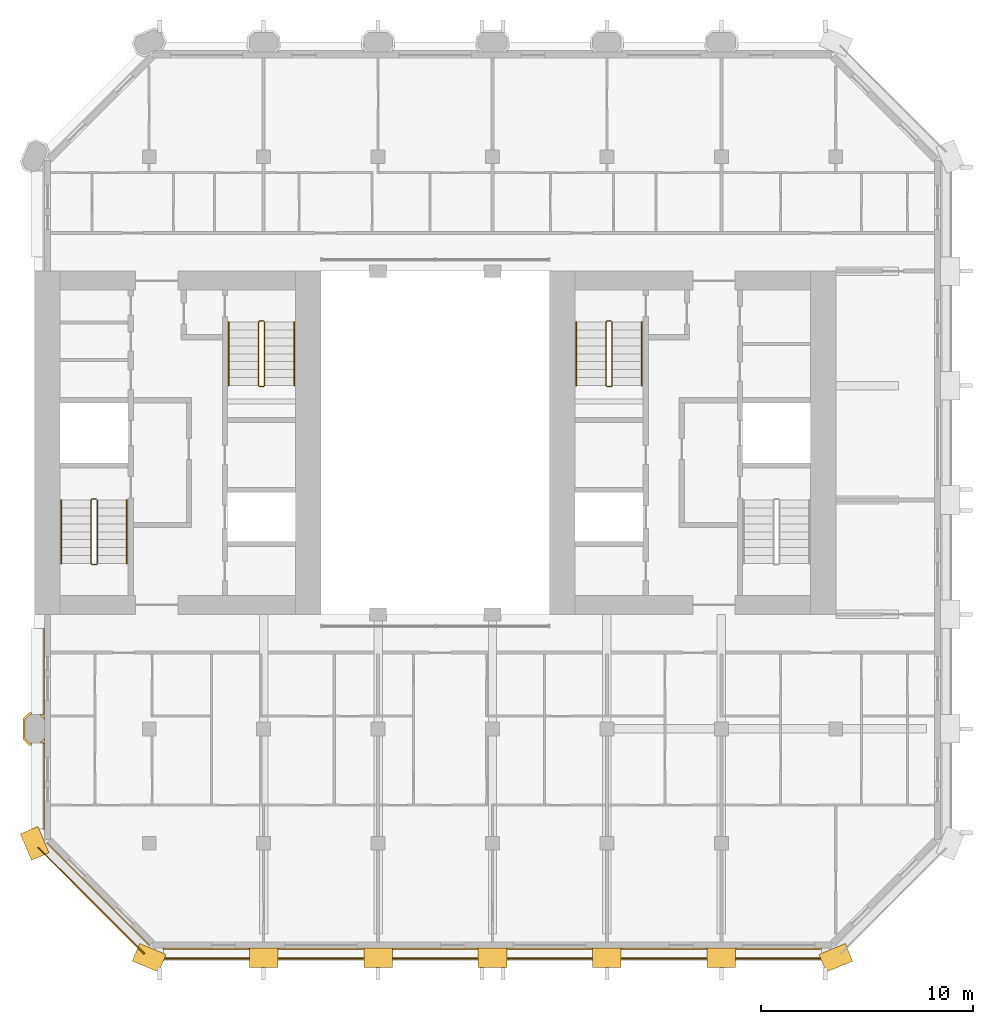
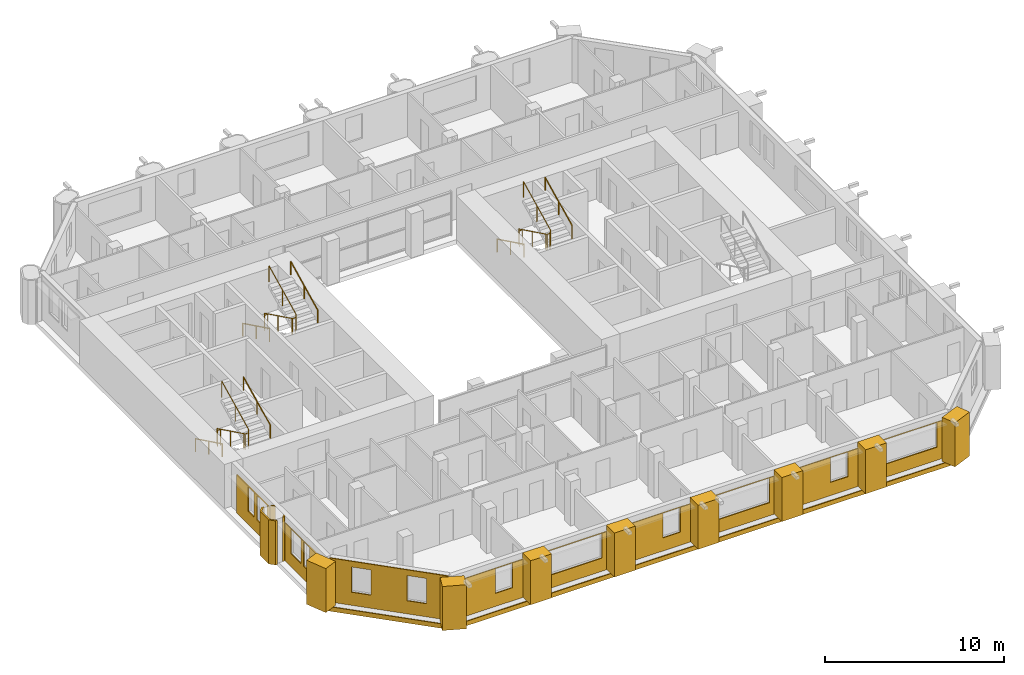
# One storey, part 13 of 14: 22 coverings, 9 railings.
"""IFC4 building model written with IfcOpenShell, lengths in metres."""

from ifc_helpers import new_model, si_unit, direction, frame, frame_2d, origin, origin_2d, place, context, subcontext, project, spatial, polyline, rectangle, circle, outline, extrude, material, layer, layer_set, type_object, element, save


model = new_model("IFC4")

# Units and contexts
model_context = context("Model", 3, precision=1e-05, world=origin(), true_north=direction((0.0, 1.0)))
body_context = subcontext(model_context, "Body", "Model", "MODEL_VIEW")
ifc_project = project(units=[si_unit("LENGTHUNIT", "METRE"), si_unit("AREAUNIT", "SQUARE_METRE"), si_unit("VOLUMEUNIT", "CUBIC_METRE"), si_unit("PLANEANGLEUNIT", "RADIAN"), si_unit("MASSUNIT", "GRAM", prefix="KILO")], contexts=[model_context])

# Site, building, storey
site_placement = place(None, origin())
site = spatial("IfcSite", under=ifc_project, at=site_placement, CompositionType="ELEMENT")
building_placement = place(site_placement, origin())
building = spatial("IfcBuilding", under=site, at=building_placement, Name="Tabaq Tower and Sports Hall", CompositionType="ELEMENT")
storey_placement = place(building_placement, frame((0.0, 0.0, 275.199951171875)))
storey = spatial("IfcBuildingStorey", under=building, at=storey_placement, Name="L67", CompositionType="ELEMENT", Elevation=275.199951171875)

# Coverings
ifc_material_1 = material(Name="Precast concrete C60/75", Category="concrete")
ifc_layer_1 = layer(ifc_material_1, 0.10009765625)
ifc_layer_set_1 = layer_set([ifc_layer_1], Name="Column cladding 100")
covering_type_1 = type_object("IfcCoveringType", Name="Column cladding 100", PredefinedType="CLADDING", material=ifc_layer_set_1)
covering_1_placement = place(storey_placement, origin())
element("IfcCovering", 1, at=covering_1_placement, inside=storey, type_object=covering_type_1, Name="Column cladding L67 PC-2C-R1", PredefinedType="CLADDING", context=body_context, shape_type="SweptSolid", body=[
    extrude(outline(polyline([(5.1337890625, 10.025390625), (4.850341796875, 10.30859375), (4.850341796875, 11.291259765625), (5.1337890625, 11.57470703125), (5.249755859375, 11.57470703125), (5.249755859375, 11.475341796875), (5.1748046875, 11.475341796875), (4.94970703125, 11.250244140625), (4.94970703125, 10.349853515625), (5.1748046875, 10.124755859375), (5.249755859375, 10.124755859375), (5.249755859375, 10.025390625), (5.1337890625, 10.025390625)])), origin(), (0.0, 0.0, 1.0), 3.0),
])
covering_2_placement = place(storey_placement, origin())
element("IfcCovering", 2, at=covering_2_placement, inside=storey, type_object=covering_type_1, Name="Column cladding L67 PC-2C-R1 2", PredefinedType="CLADDING", context=body_context, shape_type="SweptSolid", body=[
    extrude(outline(polyline([(5.766357421875, 10.125244140625), (5.625732421875, 10.125244140625), (5.849609375, 10.349365234375), (5.849609375, 10.208740234375), (5.766357421875, 10.125244140625)])), origin(), (0.0, 0.0, 1.0), 3.0),
])
covering_3_placement = place(storey_placement, origin())
element("IfcCovering", 3, at=covering_3_placement, inside=storey, type_object=covering_type_1, Name="Column cladding L67 PC-2C-R1 3", PredefinedType="CLADDING", context=body_context, shape_type="SweptSolid", body=[
    extrude(outline(polyline([(5.849609375, 11.391357421875), (5.849609375, 11.250732421875), (5.625732421875, 11.474609375), (5.766357421875, 11.474609375), (5.849609375, 11.391357421875)])), origin(), (0.0, 0.0, 1.0), 3.0),
])
ifc_material_2 = material(Name="Precast concrete C60/75", Category="concrete")
ifc_layer_2 = layer(ifc_material_2, 0.06005859375)
ifc_layer_set_2 = layer_set([ifc_layer_2], Name="Edge beam cladding 60")
covering_type_2 = type_object("IfcCoveringType", Name="Edge beam cladding 60", PredefinedType="CLADDING", material=ifc_layer_set_2)
covering_4_placement = place(storey_placement, frame((11.0986328125, -0.030029296875, -0.300048828125), z_axis=(0.0, 0.0, 1.0), x_axis=(1.0, 0.0, 0.0)))
element("IfcCovering", 4, at=covering_4_placement, inside=storey, type_object=covering_type_2, Name="Edge beam cladding L67 1", PredefinedType="CLADDING", context=body_context, shape_type="SweptSolid", body=[
    extrude(rectangle(XDim=31.802734375, YDim=0.06005859375, at=frame_2d((15.9013671875, 0.0))), origin(), (0.0, 0.0, 1.0), 0.300048828125),
])
covering_5_placement = place(storey_placement, frame((5.5556640625, 5.201904296875, -0.300048828125), z_axis=(0.0, 0.0, 1.0), x_axis=(0.707106781187, -0.707106781187, 0.0)))
element("IfcCovering", 5, at=covering_5_placement, inside=storey, type_object=covering_type_2, Name="Edge beam cladding L67 5", PredefinedType="CLADDING", context=body_context, shape_type="SweptSolid", body=[
    extrude(rectangle(XDim=7.087890625, YDim=0.06005859375, at=frame_2d((3.5439453125, 0.0))), origin(), (0.0, 0.0, 1.0), 0.300048828125),
])
ifc_material_3 = material(Name="White precast concrete C60/75", Category="concrete")
covering_type_3 = type_object("IfcCoveringType", Name="Pier cladding hung 1350x900", PredefinedType="CLADDING", material=ifc_material_3)
for number, where, z_axis, x_axis, name in (
    (6, (5.1416015625, 6.023681640625, 0.0), (0.0, 0.0, 1.0), (0.382649923473, -0.923893411637, 0.0), "Hung pier cladding 1/1"),
    (7, (10.17626953125, 0.25830078125, 0.0), (0.0, 0.0, 1.0), (0.923893411637, -0.382649923473, 0.0), "Hung pier cladding 2/0"),
    (8, (15.52490234375, 0.0, 0.0), (0.0, 0.0, 1.0), (1.0, 0.0, 0.0), "Hung pier cladding 3/0"),
):
    element("IfcCovering", number, at=place(storey_placement, frame(where, z_axis=z_axis, x_axis=x_axis)), inside=storey, type_object=covering_type_3, Name=name, PredefinedType="CLADDING", context=body_context, shape_type="SweptSolid", body=[
        extrude(rectangle(XDim=1.35009765625, YDim=0.89990234375, at=frame_2d((0.675048828125, 0.0))), origin(), (0.0, 0.0, 1.0), 3.0),
    ])
covering_6_placement = place(storey_placement, frame((20.925048828125, 0.0, 0.0), z_axis=(0.0, 0.0, 1.0), x_axis=(1.0, 0.0, 0.0)))
element("IfcCovering", 9, at=covering_6_placement, inside=storey, type_object=covering_type_3, Name="Hung pier cladding 4/0", PredefinedType="CLADDING", context=body_context, shape_type="SweptSolid", body=[
    extrude(rectangle(XDim=1.349853515625, YDim=0.89990234375, at=frame_2d((0.6748046875, 0.0))), origin(), (0.0, 0.0, 1.0), 3.0),
])
covering_7_placement = place(storey_placement, frame((26.324951171875, 0.0, 0.0), z_axis=(0.0, 0.0, 1.0), x_axis=(1.0, 0.0, 0.0)))
element("IfcCovering", 10, at=covering_7_placement, inside=storey, type_object=covering_type_3, Name="Hung pier cladding 5/0", PredefinedType="CLADDING", context=body_context, shape_type="SweptSolid", body=[
    extrude(rectangle(XDim=1.35009765625, YDim=0.89990234375, at=frame_2d((0.675048828125, 0.0))), origin(), (0.0, 0.0, 1.0), 3.0),
])
covering_8_placement = place(storey_placement, frame((31.72509765625, 0.0, 0.0), z_axis=(0.0, 0.0, 1.0), x_axis=(1.0, 0.0, 0.0)))
element("IfcCovering", 11, at=covering_8_placement, inside=storey, type_object=covering_type_3, Name="Hung pier cladding 6/0", PredefinedType="CLADDING", context=body_context, shape_type="SweptSolid", body=[
    extrude(rectangle(XDim=1.349853515625, YDim=0.89990234375, at=frame_2d((0.6748046875, 0.0))), origin(), (0.0, 0.0, 1.0), 3.0),
])
for number, where, z_axis, x_axis, name in (
    (12, (37.125, 0.0, 0.0), (0.0, 0.0, 1.0), (1.0, 0.0, 0.0), "Hung pier cladding 7/0"),
    (13, (42.576416015625, -0.25830078125, 0.0), (0.0, 0.0, 1.0), (0.923893411637, 0.382649923473, 0.0), "Hung pier cladding 8/0"),
):
    element("IfcCovering", number, at=place(storey_placement, frame(where, z_axis=z_axis, x_axis=x_axis)), inside=storey, type_object=covering_type_3, Name=name, PredefinedType="CLADDING", context=body_context, shape_type="SweptSolid", body=[
        extrude(rectangle(XDim=1.35009765625, YDim=0.89990234375, at=frame_2d((0.675048828125, 0.0))), origin(), (0.0, 0.0, 1.0), 3.0),
    ])

# Railings
ifc_material_4 = material(Name="Stainless steel", Category="steel")
railing_type_1 = type_object("IfcRailingType", Name="Stair guard", PredefinedType="GUARDRAIL", material=ifc_material_4)
railing_1_placement = place(storey_placement, frame((8.300048828125, 21.64990234375, 0.0)))
element("IfcRailing", 14, at=railing_1_placement, inside=storey, type_object=railing_type_1, Name="L67 ST1 stair guard 1", PredefinedType="GUARDRAIL", context=body_context, shape_type="SweptSolid", body=[
    extrude(circle(Radius=0.02392578125, at=origin_2d()), frame((0.0, 0.0, 1.076171875), z_axis=(-1.0, 0.0, 0.0), x_axis=(0.0, -1.0, 0.0)), (0.0, 0.0, 1.0), 0.199951171875),
    extrude(circle(Radius=0.02392578125, at=origin_2d()), frame((-0.199951171875, 0.0, 1.076171875), z_axis=(-0.254733673405, -0.25349107012, 0.933195066962), x_axis=(0.705375805398, -0.708833529934, 0.0)), (0.0, 0.0, 1.0), 0.196533203125),
    extrude(circle(Radius=0.02392578125, at=origin_2d()), frame((-0.25, -0.0498046875, 1.25927734375), z_axis=(0.0, -0.898368975038, 0.439241601728), x_axis=(1.0, 0.0, 0.0)), (0.0, 0.0, 1.0), 3.33935546875),
    extrude(circle(Radius=0.02392578125, at=origin_2d()), frame((-0.25, -3.0498046875, 2.72607421875), z_axis=(0.707106781187, -0.707106781187, 0.0), x_axis=(0.707106781187, 0.707106781187, 0.0)), (0.0, 0.0, 1.0), 0.07080078125),
    extrude(circle(Radius=0.02392578125, at=origin_2d()), frame((-0.199951171875, -3.099853515625, 2.72607421875), z_axis=(1.0, 0.0, 0.0), x_axis=(0.0, 1.0, 0.0)), (0.0, 0.0, 1.0), 0.199951171875),
    extrude(circle(Radius=0.02392578125, at=origin_2d()), frame((0.0, -3.099853515625, 2.72607421875), z_axis=(0.254653276557, 0.254653276557, 0.932900539971), x_axis=(-0.707106781187, 0.707106781187, 0.0)), (0.0, 0.0, 1.0), 0.196533203125),
    extrude(circle(Radius=0.02392578125, at=origin_2d()), frame((0.050048828125, -3.0498046875, 2.90966796875), z_axis=(0.0, 0.898397823093, 0.439182594671), x_axis=(-1.0, 0.0, 0.0)), (0.0, 0.0, 1.0), 3.33935546875),
    extrude(circle(Radius=0.02099609375, at=origin_2d()), origin(), (0.0, 0.0, 1.0), 1.052001953125),
    extrude(circle(Radius=0.02099609375, at=origin_2d()), frame((-0.199951171875, 0.0, 0.0)), (0.0, 0.0, 1.0), 1.052001953125),
    extrude(circle(Radius=0.02099609375, at=origin_2d()), frame((-0.25, -0.0498046875, 0.183349609375)), (0.0, 0.0, 1.0), 1.052001953125),
    extrude(circle(Radius=0.02099609375, at=origin_2d()), frame((-0.25, -1.5498046875, 0.916748046875)), (0.0, 0.0, 1.0), 1.052001953125),
    extrude(circle(Radius=0.02099609375, at=origin_2d()), frame((-0.25, -3.0498046875, 1.650146484375)), (0.0, 0.0, 1.0), 1.052001953125),
    extrude(circle(Radius=0.02099609375, at=origin_2d()), frame((-0.199951171875, -3.099853515625, 1.650146484375)), (0.0, 0.0, 1.0), 1.052001953125),
    extrude(circle(Radius=0.02099609375, at=origin_2d()), frame((0.0, -3.099853515625, 1.650146484375)), (0.0, 0.0, 1.0), 1.052001953125),
    extrude(circle(Radius=0.02099609375, at=origin_2d()), frame((0.050048828125, -3.0498046875, 1.83349609375)), (0.0, 0.0, 1.0), 1.052001953125),
    extrude(circle(Radius=0.02099609375, at=origin_2d()), frame((0.050048828125, -1.5498046875, 2.56689453125)), (0.0, 0.0, 1.0), 1.052001953125),
    extrude(circle(Radius=0.02099609375, at=origin_2d()), frame((0.050048828125, -0.0498046875, 3.300048828125)), (0.0, 0.0, 1.0), 1.052001953125),
])
railing_2_placement = place(storey_placement, frame((16.199951171875, 30.050048828125, 0.0)))
element("IfcRailing", 15, at=railing_2_placement, inside=storey, type_object=railing_type_1, Name="L67 ST2 stair guard 1", PredefinedType="GUARDRAIL", context=body_context, shape_type="SweptSolid", body=[
    extrude(circle(Radius=0.02392578125, at=origin_2d()), frame((0.0, 0.0, 1.076171875), z_axis=(-1.0, 0.0, 0.0), x_axis=(0.0, -1.0, 0.0)), (0.0, 0.0, 1.0), 0.199951171875),
    extrude(circle(Radius=0.02392578125, at=origin_2d()), frame((-0.199951171875, 0.0, 1.076171875), z_axis=(-0.254653276557, -0.254653276557, 0.932900539971), x_axis=(0.707106781187, -0.707106781187, 0.0)), (0.0, 0.0, 1.0), 0.196533203125),
    extrude(circle(Radius=0.02392578125, at=origin_2d()), frame((-0.25, -0.050048828125, 1.25927734375), z_axis=(0.0, -0.898368975038, 0.439241601728), x_axis=(1.0, 0.0, 0.0)), (0.0, 0.0, 1.0), 3.33935546875),
    extrude(circle(Radius=0.02392578125, at=origin_2d()), frame((-0.25, -3.050048828125, 2.72607421875), z_axis=(0.707106781187, -0.707106781187, 0.0), x_axis=(0.707106781187, 0.707106781187, 0.0)), (0.0, 0.0, 1.0), 0.07080078125),
    extrude(circle(Radius=0.02392578125, at=origin_2d()), frame((-0.199951171875, -3.10009765625, 2.72607421875), z_axis=(1.0, 0.0, 0.0), x_axis=(0.0, 1.0, 0.0)), (0.0, 0.0, 1.0), 0.199951171875),
    extrude(circle(Radius=0.02392578125, at=origin_2d()), frame((0.0, -3.10009765625, 2.72607421875), z_axis=(0.254653276557, 0.254653276557, 0.932900539971), x_axis=(-0.707106781187, 0.707106781187, 0.0)), (0.0, 0.0, 1.0), 0.196533203125),
    extrude(circle(Radius=0.02392578125, at=origin_2d()), frame((0.050048828125, -3.050048828125, 2.90966796875), z_axis=(0.0, 0.898397823093, 0.439182594671), x_axis=(-1.0, 0.0, 0.0)), (0.0, 0.0, 1.0), 3.33935546875),
    extrude(circle(Radius=0.02099609375, at=origin_2d()), origin(), (0.0, 0.0, 1.0), 1.052001953125),
    extrude(circle(Radius=0.02099609375, at=origin_2d()), frame((-0.199951171875, 0.0, 0.0)), (0.0, 0.0, 1.0), 1.052001953125),
    extrude(circle(Radius=0.02099609375, at=origin_2d()), frame((-0.25, -0.050048828125, 0.183349609375)), (0.0, 0.0, 1.0), 1.052001953125),
    extrude(circle(Radius=0.02099609375, at=origin_2d()), frame((-0.25, -1.550048828125, 0.916748046875)), (0.0, 0.0, 1.0), 1.052001953125),
    extrude(circle(Radius=0.02099609375, at=origin_2d()), frame((-0.25, -3.050048828125, 1.650146484375)), (0.0, 0.0, 1.0), 1.052001953125),
    extrude(circle(Radius=0.02099609375, at=origin_2d()), frame((-0.199951171875, -3.10009765625, 1.650146484375)), (0.0, 0.0, 1.0), 1.052001953125),
    extrude(circle(Radius=0.02099609375, at=origin_2d()), frame((0.0, -3.10009765625, 1.650146484375)), (0.0, 0.0, 1.0), 1.052001953125),
    extrude(circle(Radius=0.02099609375, at=origin_2d()), frame((0.050048828125, -3.050048828125, 1.83349609375)), (0.0, 0.0, 1.0), 1.052001953125),
    extrude(circle(Radius=0.02099609375, at=origin_2d()), frame((0.050048828125, -1.550048828125, 2.56689453125)), (0.0, 0.0, 1.0), 1.052001953125),
    extrude(circle(Radius=0.02099609375, at=origin_2d()), frame((0.050048828125, -0.050048828125, 3.300048828125)), (0.0, 0.0, 1.0), 1.052001953125),
])
railing_3_placement = place(storey_placement, frame((32.60009765625, 30.050048828125, 0.0)))
element("IfcRailing", 16, at=railing_3_placement, inside=storey, type_object=railing_type_1, Name="L67 ST4 stair guard 1", PredefinedType="GUARDRAIL", context=body_context, shape_type="SweptSolid", body=[
    extrude(circle(Radius=0.02392578125, at=origin_2d()), frame((0.0, 0.0, 1.076171875), z_axis=(-1.0, 0.0, 0.0), x_axis=(0.0, -1.0, 0.0)), (0.0, 0.0, 1.0), 0.2001953125),
    extrude(circle(Radius=0.02392578125, at=origin_2d()), frame((-0.2001953125, 0.0, 1.076171875), z_axis=(-0.25349107012, -0.254733673405, 0.933195066962), x_axis=(0.708833529934, -0.705375805398, 0.0)), (0.0, 0.0, 1.0), 0.196533203125),
    extrude(circle(Radius=0.02392578125, at=origin_2d()), frame((-0.25, -0.050048828125, 1.25927734375), z_axis=(0.0, -0.898368975038, 0.439241601728), x_axis=(1.0, 0.0, 0.0)), (0.0, 0.0, 1.0), 3.33935546875),
    extrude(circle(Radius=0.02392578125, at=origin_2d()), frame((-0.25, -3.050048828125, 2.72607421875), z_axis=(0.705375805398, -0.708833529934, 0.0), x_axis=(0.708833529934, 0.705375805398, 0.0)), (0.0, 0.0, 1.0), 0.070556640625),
    extrude(circle(Radius=0.02392578125, at=origin_2d()), frame((-0.2001953125, -3.10009765625, 2.72607421875), z_axis=(1.0, 0.0, 0.0), x_axis=(0.0, 1.0, 0.0)), (0.0, 0.0, 1.0), 0.2001953125),
    extrude(circle(Radius=0.02392578125, at=origin_2d()), frame((0.0, -3.10009765625, 2.72607421875), z_axis=(0.25349107012, 0.254733673405, 0.933195066962), x_axis=(-0.708833529934, 0.705375805398, 0.0)), (0.0, 0.0, 1.0), 0.196533203125),
    extrude(circle(Radius=0.02392578125, at=origin_2d()), frame((0.0498046875, -3.050048828125, 2.90966796875), z_axis=(0.0, 0.898397823093, 0.439182594671), x_axis=(-1.0, 0.0, 0.0)), (0.0, 0.0, 1.0), 3.33935546875),
    extrude(circle(Radius=0.02099609375, at=origin_2d()), origin(), (0.0, 0.0, 1.0), 1.052001953125),
    extrude(circle(Radius=0.02099609375, at=origin_2d()), frame((-0.2001953125, 0.0, 0.0)), (0.0, 0.0, 1.0), 1.052001953125),
    extrude(circle(Radius=0.02099609375, at=origin_2d()), frame((-0.25, -0.050048828125, 0.183349609375)), (0.0, 0.0, 1.0), 1.052001953125),
    extrude(circle(Radius=0.02099609375, at=origin_2d()), frame((-0.25, -1.550048828125, 0.916748046875)), (0.0, 0.0, 1.0), 1.052001953125),
    extrude(circle(Radius=0.02099609375, at=origin_2d()), frame((-0.25, -3.050048828125, 1.650146484375)), (0.0, 0.0, 1.0), 1.052001953125),
    extrude(circle(Radius=0.02099609375, at=origin_2d()), frame((-0.2001953125, -3.10009765625, 1.650146484375)), (0.0, 0.0, 1.0), 1.052001953125),
    extrude(circle(Radius=0.02099609375, at=origin_2d()), frame((0.0, -3.10009765625, 1.650146484375)), (0.0, 0.0, 1.0), 1.052001953125),
    extrude(circle(Radius=0.02099609375, at=origin_2d()), frame((0.0498046875, -3.050048828125, 1.83349609375)), (0.0, 0.0, 1.0), 1.052001953125),
    extrude(circle(Radius=0.02099609375, at=origin_2d()), frame((0.0498046875, -1.550048828125, 2.56689453125)), (0.0, 0.0, 1.0), 1.052001953125),
    extrude(circle(Radius=0.02099609375, at=origin_2d()), frame((0.0498046875, -0.050048828125, 3.300048828125)), (0.0, 0.0, 1.0), 1.052001953125),
])
ifc_material_5 = material(Name="Stainless steel", Category="steel")
railing_type_2 = type_object("IfcRailingType", Name="Stair handrail", PredefinedType="HANDRAIL", material=ifc_material_5)
railing_4_placement = place(storey_placement, frame((6.64990234375, 21.60009765625, 0.183349609375)))
element("IfcRailing", 17, at=railing_4_placement, inside=storey, type_object=railing_type_2, Name="L67 ST1 stair handrail 1", PredefinedType="HANDRAIL", context=body_context, shape_type="SweptSolid", body=[
    extrude(circle(Radius=0.02392578125, at=origin_2d()), frame((0.0, 0.0, 0.8759765625), z_axis=(0.0, -0.898368975038, 0.439241601728), x_axis=(1.0, 0.0, 0.0)), (0.0, 0.0, 1.0), 3.33935546875),
    extrude(circle(Radius=0.02099609375, at=origin_2d()), origin(), (0.0, 0.0, 1.0), 0.851806640625),
    extrude(circle(Radius=0.02099609375, at=origin_2d()), frame((0.0, -1.5, 0.7333984375)), (0.0, 0.0, 1.0), 0.851806640625),
    extrude(circle(Radius=0.02099609375, at=origin_2d()), frame((0.0, -3.0, 1.466796875)), (0.0, 0.0, 1.0), 0.851806640625),
])
railing_5_placement = place(storey_placement, frame((9.75, 18.60009765625, 1.83349609375)))
element("IfcRailing", 18, at=railing_5_placement, inside=storey, type_object=railing_type_2, Name="L67 ST1 stair handrail 2", PredefinedType="HANDRAIL", context=body_context, shape_type="SweptSolid", body=[
    extrude(circle(Radius=0.02392578125, at=origin_2d()), frame((0.0, 0.0, 0.8759765625), z_axis=(0.0, 0.898397823093, 0.439182594671), x_axis=(-1.0, 0.0, 0.0)), (0.0, 0.0, 1.0), 3.33935546875),
    extrude(circle(Radius=0.02099609375, at=origin_2d()), origin(), (0.0, 0.0, 1.0), 0.851806640625),
    extrude(circle(Radius=0.02099609375, at=origin_2d()), frame((0.0, 1.5, 0.7333984375)), (0.0, 0.0, 1.0), 0.851806640625),
    extrude(circle(Radius=0.02099609375, at=origin_2d()), frame((0.0, 3.0, 1.466552734375)), (0.0, 0.0, 1.0), 0.851806640625),
])
railing_6_placement = place(storey_placement, frame((14.550048828125, 30.0, 0.183349609375)))
element("IfcRailing", 19, at=railing_6_placement, inside=storey, type_object=railing_type_2, Name="L67 ST2 stair handrail 1", PredefinedType="HANDRAIL", context=body_context, shape_type="SweptSolid", body=[
    extrude(circle(Radius=0.02392578125, at=origin_2d()), frame((0.0, 0.0, 0.8759765625), z_axis=(0.0, -0.898368975038, 0.439241601728), x_axis=(1.0, 0.0, 0.0)), (0.0, 0.0, 1.0), 3.33935546875),
    extrude(circle(Radius=0.02099609375, at=origin_2d()), origin(), (0.0, 0.0, 1.0), 0.851806640625),
    extrude(circle(Radius=0.02099609375, at=origin_2d()), frame((0.0, -1.5, 0.7333984375)), (0.0, 0.0, 1.0), 0.851806640625),
    extrude(circle(Radius=0.02099609375, at=origin_2d()), frame((0.0, -3.0, 1.466796875)), (0.0, 0.0, 1.0), 0.851806640625),
])
railing_7_placement = place(storey_placement, frame((17.64990234375, 27.0, 1.83349609375)))
element("IfcRailing", 20, at=railing_7_placement, inside=storey, type_object=railing_type_2, Name="L67 ST2 stair handrail 2", PredefinedType="HANDRAIL", context=body_context, shape_type="SweptSolid", body=[
    extrude(circle(Radius=0.02392578125, at=origin_2d()), frame((0.0, 0.0, 0.8759765625), z_axis=(0.0, 0.898397823093, 0.439182594671), x_axis=(-1.0, 0.0, 0.0)), (0.0, 0.0, 1.0), 3.33935546875),
    extrude(circle(Radius=0.02099609375, at=origin_2d()), origin(), (0.0, 0.0, 1.0), 0.851806640625),
    extrude(circle(Radius=0.02099609375, at=origin_2d()), frame((0.0, 1.5, 0.7333984375)), (0.0, 0.0, 1.0), 0.851806640625),
    extrude(circle(Radius=0.02099609375, at=origin_2d()), frame((0.0, 3.0, 1.466552734375)), (0.0, 0.0, 1.0), 0.851806640625),
])
railing_8_placement = place(storey_placement, frame((30.949951171875, 30.0, 0.183349609375)))
element("IfcRailing", 21, at=railing_8_placement, inside=storey, type_object=railing_type_2, Name="L67 ST4 stair handrail 1", PredefinedType="HANDRAIL", context=body_context, shape_type="SweptSolid", body=[
    extrude(circle(Radius=0.02392578125, at=origin_2d()), frame((0.0, 0.0, 0.8759765625), z_axis=(0.0, -0.898368975038, 0.439241601728), x_axis=(1.0, 0.0, 0.0)), (0.0, 0.0, 1.0), 3.33935546875),
    extrude(circle(Radius=0.02099609375, at=origin_2d()), origin(), (0.0, 0.0, 1.0), 0.851806640625),
    extrude(circle(Radius=0.02099609375, at=origin_2d()), frame((0.0, -1.5, 0.7333984375)), (0.0, 0.0, 1.0), 0.851806640625),
    extrude(circle(Radius=0.02099609375, at=origin_2d()), frame((0.0, -3.0, 1.466796875)), (0.0, 0.0, 1.0), 0.851806640625),
])
railing_9_placement = place(storey_placement, frame((34.050048828125, 27.0, 1.83349609375)))
element("IfcRailing", 22, at=railing_9_placement, inside=storey, type_object=railing_type_2, Name="L67 ST4 stair handrail 2", PredefinedType="HANDRAIL", context=body_context, shape_type="SweptSolid", body=[
    extrude(circle(Radius=0.02392578125, at=origin_2d()), frame((0.0, 0.0, 0.8759765625), z_axis=(0.0, 0.898397823093, 0.439182594671), x_axis=(-1.0, 0.0, 0.0)), (0.0, 0.0, 1.0), 3.33935546875),
    extrude(circle(Radius=0.02099609375, at=origin_2d()), origin(), (0.0, 0.0, 1.0), 0.851806640625),
    extrude(circle(Radius=0.02099609375, at=origin_2d()), frame((0.0, 1.5, 0.7333984375)), (0.0, 0.0, 1.0), 0.851806640625),
    extrude(circle(Radius=0.02099609375, at=origin_2d()), frame((0.0, 3.0, 1.466552734375)), (0.0, 0.0, 1.0), 0.851806640625),
])

# Coverings
ifc_material_6 = material(Name="Precast concrete C60/75", Category="concrete")
ifc_layer_3 = layer(ifc_material_6, 0.06005859375)
ifc_layer_set_3 = layer_set([ifc_layer_3], Name="White precast cladding panel 60 C60/75")
covering_type_4 = type_object("IfcCoveringType", Name="White precast cladding panel 60 C60/75", PredefinedType="CLADDING", material=ifc_layer_set_3)
covering_9_placement = place(storey_placement, frame((11.465087890625, 0.419921875, 0.0), z_axis=(0.0, 0.0, 1.0), x_axis=(1.0, 0.0, 0.0)))
element("IfcCovering", 23, at=covering_9_placement, inside=storey, type_object=covering_type_4, Name="White precast cladding panel L67 wall00", PredefinedType="CLADDING", context=body_context, shape_type="SweptSolid", body=[
    extrude(outline(polyline([(0.0, 0.0), (4.0498046875, 0.0), (4.0498046875, 2.590087890625), (0.0, 2.590087890625), (0.0, 0.0)]), holes=[polyline([(3.39501953125, 0.89013671875), (2.27490234375, 0.89013671875), (2.27490234375, 2.56005859375), (3.39501953125, 2.56005859375), (3.39501953125, 0.89013671875)])]), frame((0.0, 0.030029296875, 0.0), z_axis=(0.0, -1.0, 0.0), x_axis=(1.0, 0.0, 0.0)), (0.0, 0.0, 1.0), 0.06005859375),
])
covering_10_placement = place(storey_placement, frame((16.885009765625, 0.419921875, 0.0), z_axis=(0.0, 0.0, 1.0), x_axis=(1.0, 0.0, 0.0)))
element("IfcCovering", 24, at=covering_10_placement, inside=storey, type_object=covering_type_4, Name="White precast cladding panel L67 wall00 2", PredefinedType="CLADDING", context=body_context, shape_type="SweptSolid", body=[
    extrude(outline(polyline([(0.0, 0.0), (4.030029296875, 0.0), (4.030029296875, 2.590087890625), (0.0, 2.590087890625), (0.0, 0.0)]), holes=[polyline([(3.72509765625, 0.89013671875), (0.304931640625, 0.89013671875), (0.304931640625, 2.56005859375), (3.72509765625, 2.56005859375), (3.72509765625, 0.89013671875)])]), frame((0.0, 0.030029296875, 0.0), z_axis=(0.0, -1.0, 0.0), x_axis=(1.0, 0.0, 0.0)), (0.0, 0.0, 1.0), 0.06005859375),
])
covering_11_placement = place(storey_placement, frame((22.284912109375, 0.419921875, 0.0), z_axis=(0.0, 0.0, 1.0), x_axis=(1.0, 0.0, 0.0)))
element("IfcCovering", 25, at=covering_11_placement, inside=storey, type_object=covering_type_4, Name="White precast cladding panel L67 wall00 3", PredefinedType="CLADDING", context=body_context, shape_type="SweptSolid", body=[
    extrude(outline(polyline([(0.0, 0.0), (4.030029296875, 0.0), (4.030029296875, 2.590087890625), (0.0, 2.590087890625), (0.0, 0.0)]), holes=[polyline([(3.375, 0.89013671875), (2.2548828125, 0.89013671875), (2.2548828125, 2.56005859375), (3.375, 2.56005859375), (3.375, 0.89013671875)])]), frame((0.0, 0.030029296875, 0.0), z_axis=(0.0, -1.0, 0.0), x_axis=(1.0, 0.0, 0.0)), (0.0, 0.0, 1.0), 0.06005859375),
])
covering_12_placement = place(storey_placement, frame((27.68505859375, 0.419921875, 0.0), z_axis=(0.0, 0.0, 1.0), x_axis=(1.0, 0.0, 0.0)))
element("IfcCovering", 26, at=covering_12_placement, inside=storey, type_object=covering_type_4, Name="White precast cladding panel L67 wall00 4", PredefinedType="CLADDING", context=body_context, shape_type="SweptSolid", body=[
    extrude(outline(polyline([(0.0, 0.0), (4.030029296875, 0.0), (4.030029296875, 2.590087890625), (0.0, 2.590087890625), (0.0, 0.0)]), holes=[polyline([(3.72509765625, 0.89013671875), (0.304931640625, 0.89013671875), (0.304931640625, 2.56005859375), (3.72509765625, 2.56005859375), (3.72509765625, 0.89013671875)])]), frame((0.0, 0.030029296875, 0.0), z_axis=(0.0, -1.0, 0.0), x_axis=(1.0, 0.0, 0.0)), (0.0, 0.0, 1.0), 0.06005859375),
])
covering_13_placement = place(storey_placement, frame((33.0849609375, 0.419921875, 0.0), z_axis=(0.0, 0.0, 1.0), x_axis=(1.0, 0.0, 0.0)))
element("IfcCovering", 27, at=covering_13_placement, inside=storey, type_object=covering_type_4, Name="White precast cladding panel L67 wall00 5", PredefinedType="CLADDING", context=body_context, shape_type="SweptSolid", body=[
    extrude(outline(polyline([(0.0, 0.0), (4.030029296875, 0.0), (4.030029296875, 2.590087890625), (0.0, 2.590087890625), (0.0, 0.0)]), holes=[polyline([(3.375, 0.89013671875), (2.2548828125, 0.89013671875), (2.2548828125, 2.56005859375), (3.375, 2.56005859375), (3.375, 0.89013671875)])]), frame((0.0, 0.030029296875, 0.0), z_axis=(0.0, -1.0, 0.0), x_axis=(1.0, 0.0, 0.0)), (0.0, 0.0, 1.0), 0.06005859375),
])
covering_14_placement = place(storey_placement, frame((38.485107421875, 0.419921875, 0.0), z_axis=(0.0, 0.0, 1.0), x_axis=(1.0, 0.0, 0.0)))
element("IfcCovering", 28, at=covering_14_placement, inside=storey, type_object=covering_type_4, Name="White precast cladding panel L67 wall00 6", PredefinedType="CLADDING", context=body_context, shape_type="SweptSolid", body=[
    extrude(outline(polyline([(0.0, 0.0), (4.0498046875, 0.0), (4.0498046875, 2.590087890625), (0.0, 2.590087890625), (0.0, 0.0)]), holes=[polyline([(3.72509765625, 0.89013671875), (0.304931640625, 0.89013671875), (0.304931640625, 2.56005859375), (3.72509765625, 2.56005859375), (3.72509765625, 0.89013671875)])]), frame((0.0, 0.030029296875, 0.0), z_axis=(0.0, -1.0, 0.0), x_axis=(1.0, 0.0, 0.0)), (0.0, 0.0, 1.0), 0.06005859375),
])
covering_15_placement = place(storey_placement, frame((5.820068359375, 15.534912109375, 0.0), z_axis=(0.0, 0.0, 1.0), x_axis=(0.0, -1.0, 0.0)))
element("IfcCovering", 29, at=covering_15_placement, inside=storey, type_object=covering_type_4, Name="White precast cladding panel L67 wall06-1", PredefinedType="CLADDING", context=body_context, shape_type="SweptSolid", body=[
    extrude(outline(polyline([(0.0, 0.0), (4.0498046875, 0.0), (4.0498046875, 2.590087890625), (0.0, 2.590087890625), (0.0, 0.0)]), holes=[polyline([(1.300048828125, 0.89013671875), (1.300048828125, 2.56005859375), (1.969970703125, 2.56005859375), (1.969970703125, 0.89013671875), (1.300048828125, 0.89013671875)]), polyline([(2.27490234375, 0.89013671875), (2.27490234375, 2.56005859375), (3.39501953125, 2.56005859375), (3.39501953125, 0.89013671875), (2.27490234375, 0.89013671875)])]), frame((0.0, 0.030029296875, 0.0), z_axis=(0.0, -1.0, 0.0), x_axis=(1.0, 0.0, 0.0)), (0.0, 0.0, 1.0), 0.06005859375),
])
covering_16_placement = place(storey_placement, frame((5.820068359375, 10.114990234375, 0.0), z_axis=(0.0, 0.0, 1.0), x_axis=(0.0, -1.0, 0.0)))
element("IfcCovering", 30, at=covering_16_placement, inside=storey, type_object=covering_type_4, Name="White precast cladding panel L67 wall06-1 2", PredefinedType="CLADDING", context=body_context, shape_type="SweptSolid", body=[
    extrude(outline(polyline([(0.0, 0.0), (4.050048828125, 0.0), (4.050048828125, 2.590087890625), (0.0, 2.590087890625), (0.0, 0.0)]), holes=[polyline([(0.655029296875, 0.89013671875), (0.655029296875, 2.56005859375), (1.77490234375, 2.56005859375), (1.77490234375, 0.89013671875), (0.655029296875, 0.89013671875)]), polyline([(2.080078125, 0.89013671875), (2.080078125, 2.56005859375), (2.75, 2.56005859375), (2.75, 0.89013671875), (2.080078125, 0.89013671875)])]), frame((0.0, 0.030029296875, 0.0), z_axis=(0.0, -1.0, 0.0), x_axis=(1.0, 0.0, 0.0)), (0.0, 0.0, 1.0), 0.06005859375),
])
covering_17_placement = place(storey_placement, frame((5.9716796875, 5.42236328125, 0.0), z_axis=(0.0, 0.0, 1.0), x_axis=(0.707106781187, -0.707106781187, 0.0)))
element("IfcCovering", 31, at=covering_17_placement, inside=storey, type_object=covering_type_4, Name="White precast cladding panel L67 wall07", PredefinedType="CLADDING", context=body_context, shape_type="SweptSolid", body=[
    extrude(outline(polyline([(0.0, 0.0), (6.85986328125, 0.0), (6.85986328125, 3.0), (0.0, 3.0), (0.0, 0.0)]), holes=[polyline([(1.269775390625, 2.610107421875), (2.389892578125, 2.610107421875), (2.389892578125, 0.89013671875), (1.269775390625, 0.89013671875), (1.269775390625, 2.610107421875)]), polyline([(4.4697265625, 2.610107421875), (5.58984375, 2.610107421875), (5.58984375, 0.89013671875), (4.4697265625, 0.89013671875), (4.4697265625, 2.610107421875)])]), frame((0.0, 0.030029296875, 0.0), z_axis=(0.0, -1.0, 0.0), x_axis=(1.0, 0.0, 0.0)), (0.0, 0.0, 1.0), 0.06005859375),
])

save(model, "model.ifc")
